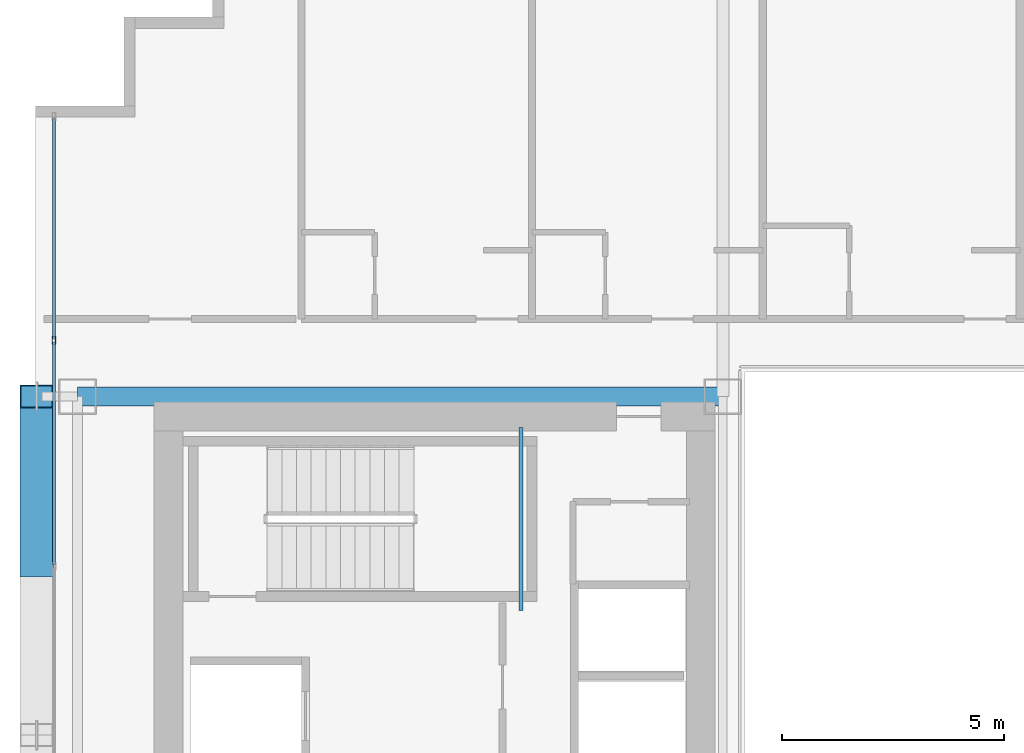
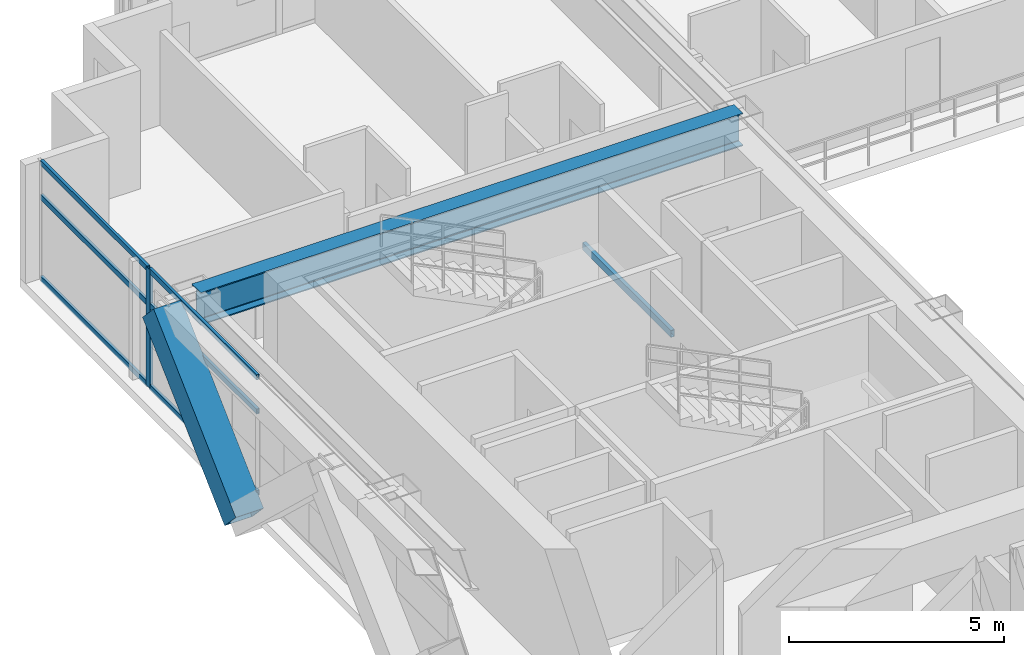
# One storey, part 16 of 35: 8 members, 2 beams, 1 element without a shape of its own.
"""IFC4 building model written with IfcOpenShell, lengths in metres."""

from ifc_helpers import new_model, si_unit, direction, frame, origin, origin_2d, place, context, subcontext, project, spatial, hollow_rectangle, i_section, extrude, source, transform, mapped, material, layer, layer_set, material_profile, profile_set, type_object, element, aggregate, save


model = new_model("IFC4")

# Units and contexts
model_context = context("Model", 3, precision=1e-05, world=origin(), true_north=direction((0.0, 1.0)))
body_context = subcontext(model_context, "Body", "Model", "MODEL_VIEW")
ifc_project = project(units=[si_unit("LENGTHUNIT", "METRE"), si_unit("AREAUNIT", "SQUARE_METRE"), si_unit("VOLUMEUNIT", "CUBIC_METRE"), si_unit("PLANEANGLEUNIT", "RADIAN"), si_unit("MASSUNIT", "GRAM", prefix="KILO")], contexts=[model_context])

# Site, building, storey
site_placement = place(None, origin())
site = spatial("IfcSite", under=ifc_project, at=site_placement, CompositionType="ELEMENT")
building_placement = place(site_placement, origin())
building = spatial("IfcBuilding", under=site, at=building_placement, Name="Ocotamira Hotel", CompositionType="ELEMENT")
storey_placement = place(building_placement, frame((0.0, 0.0, 100.800048828125)))
storey = spatial("IfcBuildingStorey", under=building, at=storey_placement, Name="L24", CompositionType="ELEMENT", Elevation=100.800048828125)

# Beams
ifc_material_1 = material(Name="Steel ASTM A500 Grade C", Category="steel")
ifc_material_profile_1 = material_profile(ifc_material_1, hollow_rectangle(XDim=0.10009765625, YDim=0.199951171875, WallThickness=0.008056640625, at=origin_2d()), Name="HSS200X100X8")
ifc_profile_set_1 = profile_set([ifc_material_profile_1], Name="Steel ASTM A500 Grade C")
beam_type_1 = type_object("IfcBeamType", Name="BM-STLDG-HSS200", PredefinedType="BEAM", material=ifc_profile_set_1)
shared_shape_1 = source(origin(), body_context, "Body", "SweptSolid", [
    extrude(hollow_rectangle(XDim=0.10009765625, YDim=0.199951171875, WallThickness=0.008056640625, at=origin_2d()), origin(), (0.0, 0.0, 1.0), 4.1201171875),
])
beam_1_placement = place(storey_placement, frame((18.949951171875, 32.6298828125, 1.5), z_axis=(0.0, 1.0, 0.0), x_axis=(-1.0, 0.0, 0.0)))
element("IfcBeam", 1, at=beam_1_placement, inside=storey, type_object=beam_type_1, Name="L24 Stair ST-2 Landing Bearer 1", PredefinedType="BEAM", context=body_context, shape_type="MappedRepresentation", body=[
    mapped(shared_shape_1, transform((0.0, 0.0, 0.0), scale=1.0)),
])
ifc_material_2 = material(Name="Steel ASTM A992 Grade 50", Category="steel")
ifc_material_profile_2 = material_profile(ifc_material_2, i_section(OverallWidth=0.41796875, OverallDepth=0.927001953125, WebThickness=0.019287109375, FlangeThickness=0.031982421875, FilletRadius=0.02392578125, at=origin_2d()), Name="W36X231")
ifc_profile_set_2 = profile_set([ifc_material_profile_2], Name="Steel ASTM A992 Grade 50")
beam_type_2 = type_object("IfcBeamType", Name="BM-GIRD-W36X231", PredefinedType="BEAM", material=ifc_profile_set_2)
shared_shape_2 = source(origin(), body_context, "Body", "SweptSolid", [
    extrude(i_section(OverallWidth=0.41796875, OverallDepth=0.927001953125, WebThickness=0.019287109375, FlangeThickness=0.031982421875, FilletRadius=0.02392578125, at=origin_2d()), origin(), (0.0, 0.0, 1.0), 14.550048828125),
])
beam_2_placement = place(storey_placement, frame((8.949951171875, 37.449951171875, 2.896484375), z_axis=(1.0, 0.0, 0.0), x_axis=(0.0, 1.0, 0.0)))
element("IfcBeam", 2, at=beam_2_placement, inside=storey, type_object=beam_type_2, Name="L24 Girder Y37.45 X8.95-23.5", PredefinedType="BEAM", context=body_context, shape_type="MappedRepresentation", body=[
    mapped(shared_shape_2, transform((0.0, 0.0, 0.0), scale=1.0)),
])

# Member
ifc_material_3 = material(Name="Pale-metal coated steel ASTM A913 Grade 65", Category="steel")
ifc_material_profile_3 = material_profile(ifc_material_3, hollow_rectangle(XDim=0.75, YDim=0.75, WallThickness=0.028076171875, at=origin_2d()), Name="BOX750X750X28")
ifc_profile_set_3 = profile_set([ifc_material_profile_3], Name="Pale-metal coated steel ASTM A913 Grade 65")
member_type_1 = type_object("IfcMemberType", Name="MEM-EXO-BOX750", PredefinedType="BRACE", material=ifc_profile_set_3)
shared_shape_3 = source(origin(), body_context, "Body", "SweptSolid", [
    extrude(hollow_rectangle(XDim=0.75, YDim=0.75, WallThickness=0.028076171875, at=origin_2d()), origin(), (0.0, 0.0, 1.0), 5.24658203125),
])
member_1_placement = place(storey_placement, frame((8.030029296875, 33.63330078125, -0.489990234375), z_axis=(0.0, 0.72746596067, 0.686143772154), x_axis=(-1.0, 0.0, 0.0)))
element("IfcMember", 3, at=member_1_placement, inside=storey, type_object=member_type_1, Name="L24 Exoskeleton Diagrid W2.2", PredefinedType="BRACE", context=body_context, shape_type="MappedRepresentation", body=[
    mapped(shared_shape_3, transform((0.0, 0.0, 0.0), scale=1.0)),
])

# Curtain wall, members
ifc_material_4 = material(Name="Anodised pale-metal aluminium and solar glass", Category="aluminium")
ifc_layer = layer(ifc_material_4, 0.179931640625)
ifc_layer_set = layer_set([ifc_layer], Name="Anodised pale-metal aluminium and solar glass")
curtain_wall_type = type_object("IfcCurtainWallType", Name="CW-SYS3-Z2", PredefinedType="NOTDEFINED", material=ifc_layer_set)
curtain_wall_placement = place(storey_placement, origin())
curtain_wall = element("IfcCurtainWall", 4, at=curtain_wall_placement, inside=storey, type_object=curtain_wall_type, Name="L24 Curtain Wall CW-3 CW-L24-W", PredefinedType="NOTDEFINED")
ifc_material_5 = material(Name="Anodised pale-metal aluminium 6063-T6", Category="aluminium")
ifc_material_profile_4 = material_profile(ifc_material_5, hollow_rectangle(XDim=0.074951171875, YDim=0.14990234375, WallThickness=0.006103515625, at=origin_2d()), Name="HSS150X75X6")
ifc_profile_set_4 = profile_set([ifc_material_profile_4], Name="Anodised pale-metal aluminium 6063-T6")
member_type_2 = type_object("IfcMemberType", Name="CWT-150X75", PredefinedType="USERDEFINED", material=ifc_profile_set_4)
shared_shape_4 = source(origin(), body_context, "Body", "SweptSolid", [
    extrude(hollow_rectangle(XDim=0.074951171875, YDim=0.14990234375, WallThickness=0.006103515625, at=origin_2d()), origin(), (0.0, 0.0, 1.0), 4.965576171875),
])
member_2_placement = place(storey_placement, frame((8.419921875, 38.75439453125, 0.037353515625), z_axis=(0.0, 1.0, 0.0), x_axis=(-1.0, 0.0, 0.0)))
member_2 = element("IfcMember", 5, at=member_2_placement, type_object=member_type_2, Name="CW-3 transom 7.1", ObjectType="TRANSOM", PredefinedType="USERDEFINED", context=body_context, shape_type="MappedRepresentation", body=[
    mapped(shared_shape_4, transform((0.0, 0.0, 0.0), scale=1.0)),
])
member_3_placement = place(storey_placement, frame((8.419921875, 38.75439453125, 2.349853515625), z_axis=(0.0, 1.0, 0.0), x_axis=(-1.0, 0.0, 0.0)))
member_3 = element("IfcMember", 6, at=member_3_placement, type_object=member_type_2, Name="CW-3 transom 7.2", ObjectType="TRANSOM", PredefinedType="USERDEFINED", context=body_context, shape_type="MappedRepresentation", body=[
    mapped(shared_shape_4, transform((0.0, 0.0, 0.0), scale=1.0)),
])
member_4_placement = place(storey_placement, frame((8.419921875, 38.75439453125, 3.322509765625), z_axis=(0.0, 1.0, 0.0), x_axis=(-1.0, 0.0, 0.0)))
member_4 = element("IfcMember", 7, at=member_4_placement, type_object=member_type_2, Name="CW-3 transom 7.3", ObjectType="TRANSOM", PredefinedType="USERDEFINED", context=body_context, shape_type="MappedRepresentation", body=[
    mapped(shared_shape_4, transform((0.0, 0.0, 0.0), scale=1.0)),
])
shared_shape_5 = source(origin(), body_context, "Body", "SweptSolid", [
    extrude(hollow_rectangle(XDim=0.074951171875, YDim=0.14990234375, WallThickness=0.006103515625, at=origin_2d()), origin(), (0.0, 0.0, 1.0), 5.005859375),
])
member_5_placement = place(storey_placement, frame((8.419921875, 33.66845703125, 0.037353515625), z_axis=(0.0, 1.0, 0.0), x_axis=(-1.0, 0.0, 0.0)))
member_5 = element("IfcMember", 8, at=member_5_placement, type_object=member_type_2, Name="CW-3 transom 6.1", ObjectType="TRANSOM", PredefinedType="USERDEFINED", context=body_context, shape_type="MappedRepresentation", body=[
    mapped(shared_shape_5, transform((0.0, 0.0, 0.0), scale=1.0)),
])
member_6_placement = place(storey_placement, frame((8.419921875, 33.66845703125, 2.349853515625), z_axis=(0.0, 1.0, 0.0), x_axis=(-1.0, 0.0, 0.0)))
member_6 = element("IfcMember", 9, at=member_6_placement, type_object=member_type_2, Name="CW-3 transom 6.2", ObjectType="TRANSOM", PredefinedType="USERDEFINED", context=body_context, shape_type="MappedRepresentation", body=[
    mapped(shared_shape_5, transform((0.0, 0.0, 0.0), scale=1.0)),
])
member_7_placement = place(storey_placement, frame((8.419921875, 33.66845703125, 3.322509765625), z_axis=(0.0, 1.0, 0.0), x_axis=(-1.0, 0.0, 0.0)))
member_7 = element("IfcMember", 10, at=member_7_placement, type_object=member_type_2, Name="CW-3 transom 6.3", ObjectType="TRANSOM", PredefinedType="USERDEFINED", context=body_context, shape_type="MappedRepresentation", body=[
    mapped(shared_shape_5, transform((0.0, 0.0, 0.0), scale=1.0)),
])
ifc_material_profile_5 = material_profile(ifc_material_5, hollow_rectangle(XDim=0.080078125, YDim=0.179931640625, WallThickness=0.006103515625, at=origin_2d()), Name="HSS180X80X6")
ifc_profile_set_5 = profile_set([ifc_material_profile_5], Name="Anodised pale-metal aluminium 6063-T6")
member_type_3 = type_object("IfcMemberType", Name="CWM-180X75", PredefinedType="MULLION", material=ifc_profile_set_5)
shared_shape_6 = source(origin(), body_context, "Body", "SweptSolid", [
    extrude(hollow_rectangle(XDim=0.080078125, YDim=0.179931640625, WallThickness=0.006103515625, at=origin_2d()), origin(), (0.0, 0.0, 1.0), 3.35986328125),
])
member_8_placement = place(storey_placement, frame((8.419921875, 38.71435546875, 0.0), z_axis=(0.0, 0.0, 1.0), x_axis=(-1.0, 0.0, 0.0)))
member_8 = element("IfcMember", 11, at=member_8_placement, type_object=member_type_3, Name="CW-3 mullion 7", PredefinedType="MULLION", context=body_context, shape_type="MappedRepresentation", body=[
    mapped(shared_shape_6, transform((0.0, 0.0, 0.0), scale=1.0)),
])
aggregate(curtain_wall, [member_8, member_5, member_6, member_7, member_2, member_3, member_4])

save(model, "model.ifc")
